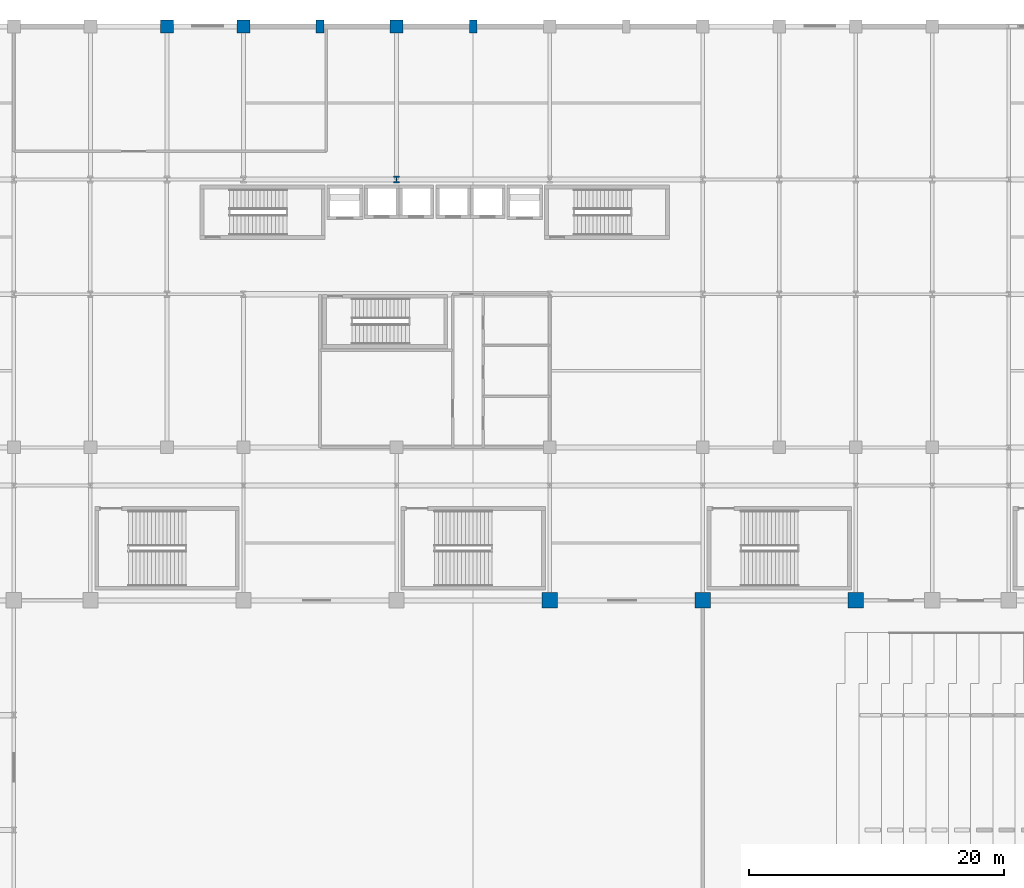
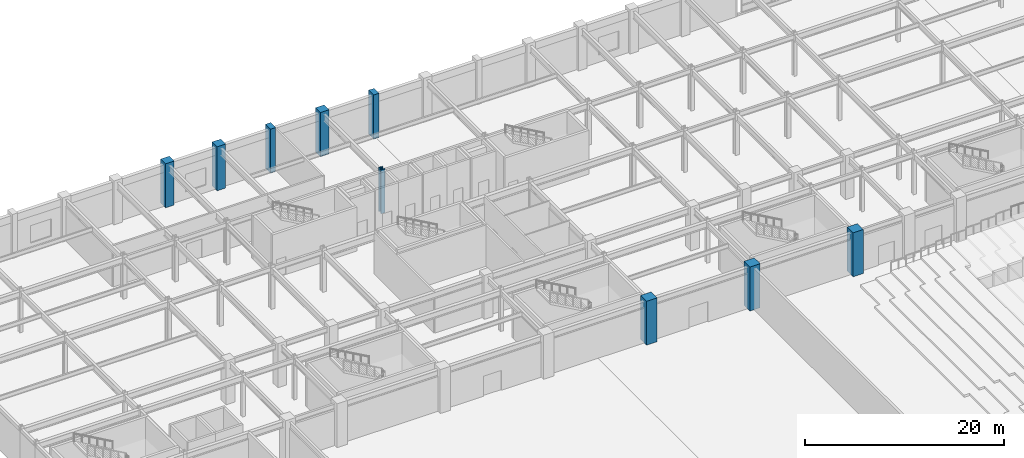
# One storey, part 10 of 100: 9 columns.
"""IFC4 building model written with IfcOpenShell, lengths in metres."""

from ifc_helpers import new_model, si_unit, direction, frame, origin, origin_2d, place, context, subcontext, project, spatial, rectangle, i_section, extrude, material, material_profile, profile_set, type_object, element, save


model = new_model("IFC4")

# Units and contexts
model_context = context("Model", 3, precision=1e-05, world=origin(), true_north=direction((0.0, 1.0)))
body_context = subcontext(model_context, "Body", "Model", "MODEL_VIEW")
ifc_project = project(units=[si_unit("LENGTHUNIT", "METRE"), si_unit("AREAUNIT", "SQUARE_METRE"), si_unit("VOLUMEUNIT", "CUBIC_METRE"), si_unit("PLANEANGLEUNIT", "RADIAN"), si_unit("MASSUNIT", "GRAM", prefix="KILO")], contexts=[model_context])

# Site, building, storey
site_placement = place(None, origin())
site = spatial("IfcSite", under=ifc_project, at=site_placement, CompositionType="ELEMENT")
building_placement = place(site_placement, origin())
building = spatial("IfcBuilding", under=site, at=building_placement, Name="Kaldorvane Square Convention Centre", CompositionType="ELEMENT")
storey_placement = place(building_placement, frame((0.0, 0.0, 18.0)))
storey = spatial("IfcBuildingStorey", under=building, at=storey_placement, Name="L03", CompositionType="ELEMENT", Elevation=18.0)

# Columns
ifc_material_1 = material(Name="Concrete f'c = 55 MPa (Normalweight)", Category="concrete")
ifc_material_profile_1 = material_profile(ifc_material_1, rectangle(XDim=1.1999969482421875, YDim=1.1999969482421875, at=origin_2d()), Name="RC1200X1200")
ifc_profile_set_1 = profile_set([ifc_material_profile_1], Name="Concrete f'c = 55 MPa (Normalweight)")
column_type_1 = type_object("IfcColumnType", Name="COL-MEGA-1200", PredefinedType="COLUMN", material=ifc_profile_set_1)
for number, where, z_axis, x_axis, name in (
    (1, (66.0, 72.0, 0.0), (0.0, 0.0, 1.0), (1.0, 0.0, 0.0), "Column MC-02 (L03)"),
    (2, (78.0, 72.0, 0.0), (0.0, 0.0, 1.0), (1.0, 0.0, 0.0), "Column MC-02 (L03)"),
    (3, (90.0, 72.0, 0.0), (0.0, 0.0, 1.0), (1.0, 0.0, 0.0), "Column MC-02 (L03)"),
):
    element("IfcColumn", number, at=place(storey_placement, frame(where, z_axis=z_axis, x_axis=x_axis)), inside=storey, type_object=column_type_1, Name=name, PredefinedType="COLUMN", context=body_context, shape_type="SweptSolid", body=[
        extrude(rectangle(XDim=1.1999969482421875, YDim=1.1999969482421875, at=origin_2d()), origin(), (0.0, 0.0, 1.0), 5.399993896484375),
    ])
ifc_material_profile_2 = material_profile(ifc_material_1, rectangle(XDim=1.0, YDim=1.0, at=origin_2d()), Name="RC1000X1000")
ifc_profile_set_2 = profile_set([ifc_material_profile_2], Name="Concrete f'c = 55 MPa (Normalweight)")
column_type_2 = type_object("IfcColumnType", Name="COL-RC-1000", PredefinedType="COLUMN", material=ifc_profile_set_2)
for number, where, z_axis, x_axis, name in (
    (4, (36.0, 117.0, 0.0), (0.0, 0.0, 1.0), (1.0, 0.0, 0.0), "Column CC-02 (L03)"),
    (5, (42.0, 117.0, 0.0), (0.0, 0.0, 1.0), (1.0, 0.0, 0.0), "Column CC-02 (L03)"),
    (6, (54.0, 117.0, 0.0), (0.0, 0.0, 1.0), (1.0, 0.0, 0.0), "Column CC-02 (L03)"),
):
    element("IfcColumn", number, at=place(storey_placement, frame(where, z_axis=z_axis, x_axis=x_axis)), inside=storey, type_object=column_type_2, Name=name, PredefinedType="COLUMN", context=body_context, shape_type="SweptSolid", body=[
        extrude(rectangle(XDim=1.0, YDim=1.0, at=origin_2d()), origin(), (0.0, 0.0, 1.0), 5.399993896484375),
    ])
ifc_material_2 = material(Name="Steel ASTM A992 Gr. 50", Category="steel")
ifc_material_profile_3 = material_profile(ifc_material_2, i_section(OverallWidth=0.4420013427734375, OverallDepth=0.531402587890625, WebThickness=0.0657958984375, FlangeThickness=0.1056976318359375, FilletRadius=0.0305023193359375, at=origin_2d()), Name="W14X605")
ifc_profile_set_3 = profile_set([ifc_material_profile_3], Name="Steel ASTM A992 Gr. 50")
column_type_3 = type_object("IfcColumnType", Name="COL-STL-605", PredefinedType="COLUMN", material=ifc_profile_set_3)
column_placement = place(storey_placement, frame((54.0, 105.0, 0.0), z_axis=(0.0, 0.0, 1.0), x_axis=(1.0, 0.0, 0.0)))
element("IfcColumn", 7, at=column_placement, inside=storey, type_object=column_type_3, Name="Column SC-02 (L03)", PredefinedType="COLUMN", context=body_context, shape_type="SweptSolid", body=[
    extrude(i_section(OverallWidth=0.4420013427734375, OverallDepth=0.531402587890625, WebThickness=0.0657958984375, FlangeThickness=0.1056976318359375, FilletRadius=0.0305023193359375, at=origin_2d()), origin(), (0.0, 0.0, 1.0), 5.399993896484375),
])
ifc_material_profile_4 = material_profile(ifc_material_1, rectangle(XDim=0.600006103515625, YDim=1.0, at=origin_2d()), Name="PIL1000X600")
ifc_profile_set_4 = profile_set([ifc_material_profile_4], Name="Concrete f'c = 55 MPa (Normalweight)")
column_type_4 = type_object("IfcColumnType", Name="PIL-BRUT-1000", PredefinedType="PILASTER", material=ifc_profile_set_4)
for number, where, z_axis, x_axis, name in (
    (8, (48.0, 117.0, 0.0), (0.0, 0.0, 1.0), (1.0, 0.0, 0.0), "Brutalist Colonnade Pilaster (L03)"),
    (9, (60.0, 117.0, 0.0), (0.0, 0.0, 1.0), (1.0, 0.0, 0.0), "Brutalist Colonnade Pilaster (L03)"),
):
    element("IfcColumn", number, at=place(storey_placement, frame(where, z_axis=z_axis, x_axis=x_axis)), inside=storey, type_object=column_type_4, Name=name, PredefinedType="PILASTER", context=body_context, shape_type="SweptSolid", body=[
        extrude(rectangle(XDim=0.600006103515625, YDim=1.0, at=origin_2d()), origin(), (0.0, 0.0, 1.0), 5.399993896484375),
    ])

save(model, "model.ifc")
